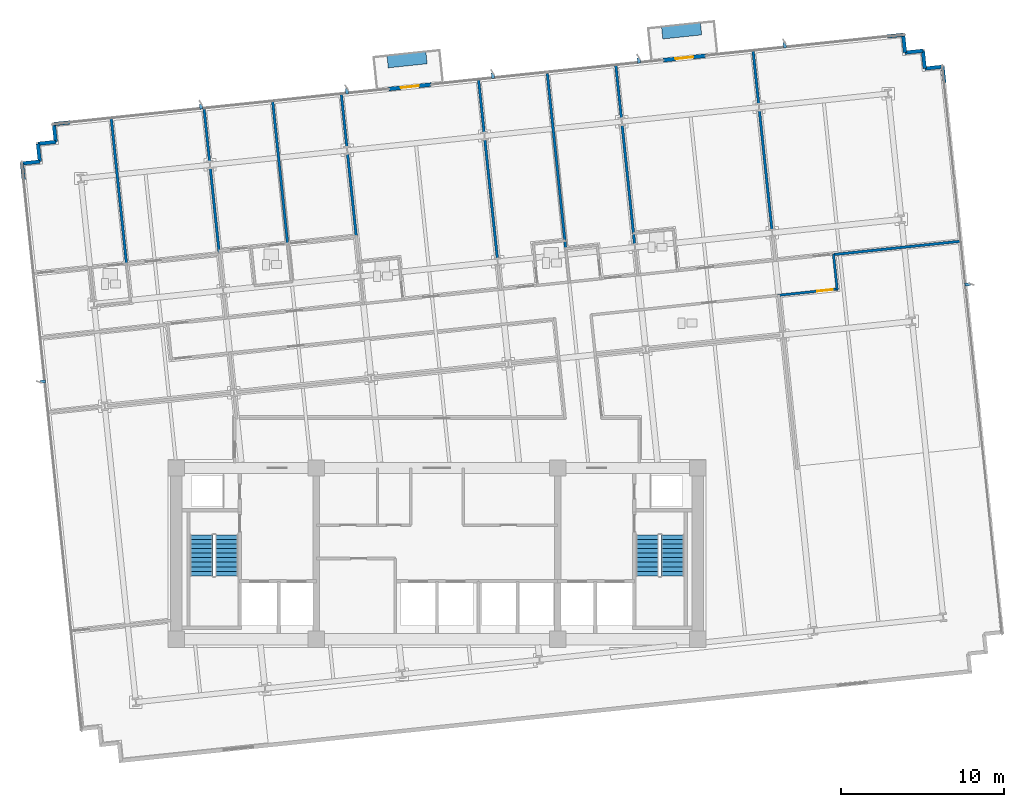
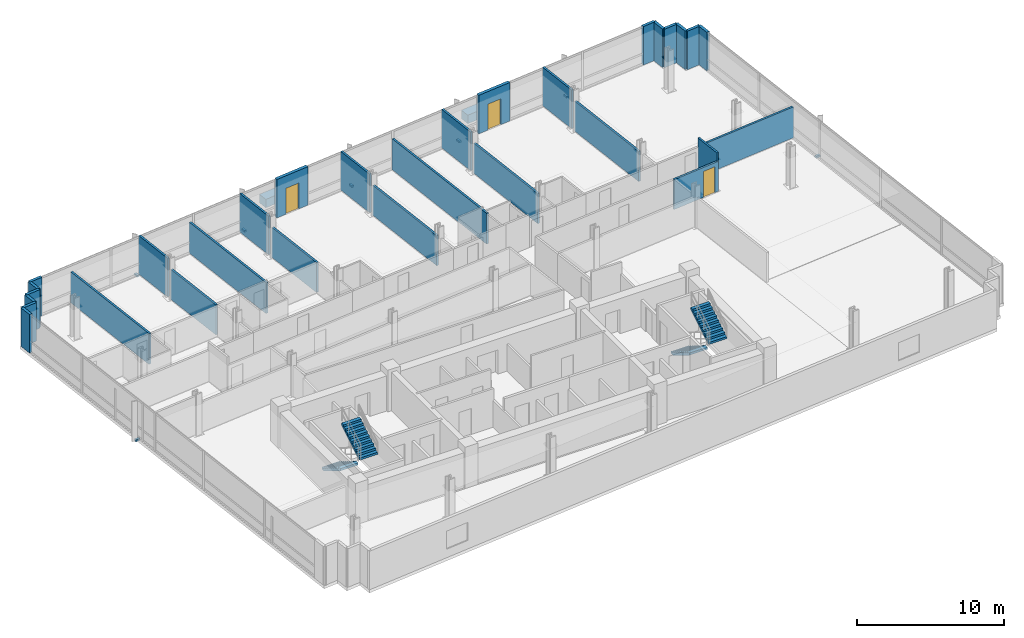
# One storey, part 13 of 18: 30 walls, 9 discrete accessories, 4 stair flights, 3 doors, 3 openings, 2 elements without a shape of their own.
"""IFC4 building model written with IfcOpenShell, lengths in metres."""

from ifc_helpers import new_model, si_unit, direction, frame, frame_2d, origin, origin_2d, place, context, subcontext, project, spatial, polyline, rectangle, outline, extrude, material, layer, layer_set, type_object, element, fill, aggregate, save


model = new_model("IFC4")

# Units and contexts
model_context = context("Model", 3, precision=1e-05, world=origin(), true_north=direction((0.0, 1.0)))
body_context = subcontext(model_context, "Body", "Model", "MODEL_VIEW")
ifc_project = project(units=[si_unit("LENGTHUNIT", "METRE"), si_unit("AREAUNIT", "SQUARE_METRE"), si_unit("VOLUMEUNIT", "CUBIC_METRE"), si_unit("PLANEANGLEUNIT", "RADIAN"), si_unit("MASSUNIT", "GRAM", prefix="KILO")], contexts=[model_context])

# Site, building, storey
site_placement = place(None, origin())
site = spatial("IfcSite", under=ifc_project, at=site_placement, CompositionType="ELEMENT")
building_placement = place(site_placement, origin())
building = spatial("IfcBuilding", under=site, at=building_placement, Name="Solmavex Isthmus Hotel", CompositionType="ELEMENT")
storey_placement = place(building_placement, frame((0.0, 0.0, 120.14990234375)))
storey = spatial("IfcBuildingStorey", under=building, at=storey_placement, Name="L32", CompositionType="ELEMENT", Elevation=120.14990234375)

# Wall, opening, door
ifc_material_1 = material(Name="Precast Concrete C40/50", Category="concrete")
ifc_layer_1 = layer(ifc_material_1, 0.25)
ifc_layer_set_1 = layer_set([ifc_layer_1], Name="Precast Concrete C40/50")
wall_type_1 = type_object("IfcWallType", Name="EW-TWR-250", PredefinedType="STANDARD", material=ifc_layer_set_1)
wall_1_placement = place(storey_placement, frame((-2.95458984375, 20.744140625, 0.0), z_axis=(0.0, 0.0, 1.0), x_axis=(0.994523446942, 0.104513699976, 0.0)))
wall_1 = element("IfcWall", 1, at=wall_1_placement, inside=storey, type_object=wall_type_1, Name="Exterior Balcony Door Wall L32-2", PredefinedType="STANDARD", context=body_context, shape_type="SweptSolid", body=[
    extrude(rectangle(XDim=2.599853515625, YDim=0.239990234375, at=frame_2d((1.2998046875, 0.0))), origin(), (0.0, 0.0, 1.0), 3.190185546875),
])
opening_1_placement = place(wall_1_placement, frame((0.75, 0.0, 0.0)))
opening_1 = element("IfcOpeningElement", 2, at=opening_1_placement, cuts=wall_1, Name="Opening ED-02", PredefinedType="OPENING", context=body_context, shape_type="SweptSolid", body=[
    extrude(rectangle(XDim=1.10009765625, YDim=2.14990234375, at=frame_2d((0.550048828125, 1.074951171875))), frame((0.0, 0.1298828125, 0.0), z_axis=(0.0, -1.0, 0.0), x_axis=(1.0, 0.0, 0.0)), (0.0, 0.0, 1.0), 0.260009765625),
])
ifc_material_2 = material(Name="Aluminium alloy 6063-T6", Category="aluminium")
door_type_1 = type_object("IfcDoorType", Name="EDR-BALC-1100", OperationType="NOTDEFINED", PredefinedType="DOOR", material=ifc_material_2)
door_1_placement = place(opening_1_placement, origin())
door_1 = element("IfcDoor", 3, at=door_1_placement, inside=storey, type_object=door_type_1, Name="Balcony & Terrace Glazed Door L32-2", OperationType="SINGLE_SWING_RIGHT", OverallHeight=2.14990234375, OverallWidth=1.10009765625, PredefinedType="DOOR", context=body_context, shape_type="SweptSolid", body=[
    extrude(rectangle(XDim=1.10009765625, YDim=2.14990234375, at=frame_2d((0.550048828125, 1.074951171875))), frame((0.0, 0.02490234375, 0.0), z_axis=(0.0, -1.0, 0.0), x_axis=(1.0, 0.0, 0.0)), (0.0, 0.0, 1.0), 0.050048828125),
])
fill(opening_1, door_1)

wall_2_placement = place(storey_placement, frame((13.884765625, 22.513916015625, 0.0), z_axis=(0.0, 0.0, 1.0), x_axis=(0.994523446942, 0.104513699976, 0.0)))
wall_2 = element("IfcWall", 4, at=wall_2_placement, inside=storey, type_object=wall_type_1, Name="Exterior Balcony Door Wall L32-3", PredefinedType="STANDARD", context=body_context, shape_type="SweptSolid", body=[
    extrude(rectangle(XDim=2.599853515625, YDim=0.239990234375, at=frame_2d((1.2998046875, 0.0))), origin(), (0.0, 0.0, 1.0), 3.190185546875),
])
opening_2_placement = place(wall_2_placement, frame((0.75, 0.0, 0.0)))
opening_2 = element("IfcOpeningElement", 5, at=opening_2_placement, cuts=wall_2, Name="Opening ED-02", PredefinedType="OPENING", context=body_context, shape_type="SweptSolid", body=[
    extrude(rectangle(XDim=1.10009765625, YDim=2.14990234375, at=frame_2d((0.550048828125, 1.074951171875))), frame((0.0, 0.1298828125, 0.0), z_axis=(0.0, -1.0, 0.0), x_axis=(1.0, 0.0, 0.0)), (0.0, 0.0, 1.0), 0.260009765625),
])
door_2_placement = place(opening_2_placement, origin())
door_2 = element("IfcDoor", 6, at=door_2_placement, inside=storey, type_object=door_type_1, Name="Balcony & Terrace Glazed Door L32-3", OperationType="SINGLE_SWING_LEFT", OverallHeight=2.14990234375, OverallWidth=1.10009765625, PredefinedType="DOOR", context=body_context, shape_type="SweptSolid", body=[
    extrude(rectangle(XDim=1.10009765625, YDim=2.14990234375, at=frame_2d((0.550048828125, 1.074951171875))), frame((0.0, 0.02490234375, 0.0), z_axis=(0.0, -1.0, 0.0), x_axis=(1.0, 0.0, 0.0)), (0.0, 0.0, 1.0), 0.050048828125),
])
fill(opening_2, door_2)

# Walls
wall_3_placement = place(storey_placement, frame((-25.35400390625, 15.1923828125, 0.0), z_axis=(0.0, 0.0, 1.0), x_axis=(-0.104556418955, 0.99451895671, 0.0)))
element("IfcWall", 7, at=wall_3_placement, inside=storey, type_object=wall_type_1, Name="Serrated Corner Facade Panel L32-07", PredefinedType="STANDARD", context=body_context, shape_type="SweptSolid", body=[
    extrude(rectangle(XDim=0.989990234375, YDim=0.219970703125, at=frame_2d((0.4951171875, 0.0))), origin(), (0.0, 0.0, 1.0), 3.190185546875),
])
wall_4_placement = place(storey_placement, frame((-25.45751953125, 16.177001953125, 0.0), z_axis=(0.0, 0.0, 1.0), x_axis=(0.994521251134, 0.104534592565, 0.0)))
element("IfcWall", 8, at=wall_4_placement, inside=storey, type_object=wall_type_1, Name="Serrated Corner Facade Panel L32-08", PredefinedType="STANDARD", context=body_context, shape_type="SweptSolid", body=[
    extrude(rectangle(XDim=1.10009765625, YDim=0.219970703125, at=frame_2d((0.550048828125, 0.0))), origin(), (0.0, 0.0, 1.0), 3.190185546875),
])
wall_5_placement = place(storey_placement, frame((-24.363525390625, 16.2919921875, 0.0), z_axis=(0.0, 0.0, 1.0), x_axis=(-0.104557671117, 0.994518825066, 0.0)))
element("IfcWall", 9, at=wall_5_placement, inside=storey, type_object=wall_type_1, Name="Serrated Corner Facade Panel L32-09", PredefinedType="STANDARD", context=body_context, shape_type="SweptSolid", body=[
    extrude(rectangle(XDim=1.099853515625, YDim=0.219970703125, at=frame_2d((0.5498046875, 0.0))), origin(), (0.0, 0.0, 1.0), 3.190185546875),
])
for number, where, z_axis, x_axis, name in (
    (10, (-24.478515625, 17.3857421875, 0.0), (0.0, 0.0, 1.0), (0.994521251134, 0.104534592565, 0.0), "Serrated Corner Facade Panel L32-10"),
    (11, (-23.384521484375, 17.500732421875, 0.0), (0.0, 0.0, 1.0), (-0.104534592565, 0.994521251134, 0.0), "Serrated Corner Facade Panel L32-11"),
):
    element("IfcWall", number, at=place(storey_placement, frame(where, z_axis=z_axis, x_axis=x_axis)), inside=storey, type_object=wall_type_1, Name=name, PredefinedType="STANDARD", context=body_context, shape_type="SweptSolid", body=[
        extrude(rectangle(XDim=1.10009765625, YDim=0.219970703125, at=frame_2d((0.550048828125, 0.0))), origin(), (0.0, 0.0, 1.0), 3.190185546875),
    ])
wall_6_placement = place(storey_placement, frame((-23.49951171875, 18.5947265625, 0.0), z_axis=(0.0, 0.0, 1.0), x_axis=(0.99451895671, 0.104556418955, 0.0)))
element("IfcWall", 12, at=wall_6_placement, inside=storey, type_object=wall_type_1, Name="Serrated Corner Facade Panel L32-12", PredefinedType="STANDARD", context=body_context, shape_type="SweptSolid", body=[
    extrude(rectangle(XDim=0.989990234375, YDim=0.219970703125, at=frame_2d((0.4951171875, 0.0))), origin(), (0.0, 0.0, 1.0), 3.190185546875),
])
wall_7_placement = place(storey_placement, frame((27.609130859375, 23.966552734375, 0.0), z_axis=(0.0, 0.0, 1.0), x_axis=(0.994516259927, 0.104582067016, 0.0)))
element("IfcWall", 13, at=wall_7_placement, inside=storey, type_object=wall_type_1, Name="Serrated Corner Facade Panel L32-14", PredefinedType="STANDARD", context=body_context, shape_type="SweptSolid", body=[
    extrude(rectangle(XDim=0.98974609375, YDim=0.219970703125, at=frame_2d((0.494873046875, 0.0))), origin(), (0.0, 0.0, 1.0), 3.190185546875),
])
for number, where, z_axis, x_axis, name in (
    (14, (28.593505859375, 24.070068359375, 0.0), (0.0, 0.0, 1.0), (0.104534592565, -0.994521251134, 0.0), "Serrated Corner Facade Panel L32-15"),
    (15, (28.70849609375, 22.97607421875, 0.0), (0.0, 0.0, 1.0), (0.994521251134, 0.104534592565, 0.0), "Serrated Corner Facade Panel L32-16"),
    (16, (29.802490234375, 23.091064453125, 0.0), (0.0, 0.0, 1.0), (0.104534592565, -0.994521251134, 0.0), "Serrated Corner Facade Panel L32-17"),
    (17, (29.91748046875, 21.9970703125, 0.0), (0.0, 0.0, 1.0), (0.994521251134, 0.104534592565, 0.0), "Serrated Corner Facade Panel L32-18"),
):
    element("IfcWall", number, at=place(storey_placement, frame(where, z_axis=z_axis, x_axis=x_axis)), inside=storey, type_object=wall_type_1, Name=name, PredefinedType="STANDARD", context=body_context, shape_type="SweptSolid", body=[
        extrude(rectangle(XDim=1.10009765625, YDim=0.219970703125, at=frame_2d((0.550048828125, 0.0))), origin(), (0.0, 0.0, 1.0), 3.190185546875),
    ])
wall_8_placement = place(storey_placement, frame((31.011474609375, 22.112060546875, 0.0), z_axis=(0.0, 0.0, 1.0), x_axis=(0.104556418955, -0.99451895671, 0.0)))
element("IfcWall", 18, at=wall_8_placement, inside=storey, type_object=wall_type_1, Name="Serrated Corner Facade Panel L32-19", PredefinedType="STANDARD", context=body_context, shape_type="SweptSolid", body=[
    extrude(rectangle(XDim=0.989990234375, YDim=0.219970703125, at=frame_2d((0.4951171875, 0.0))), origin(), (0.0, 0.0, 1.0), 3.190185546875),
])
ifc_material_3 = material(Name="Gypsum plasterboard lining", Category="gypsum")
ifc_layer_2 = layer(ifc_material_3, 0.159912109375)
ifc_layer_set_2 = layer_set([ifc_layer_2], Name="Gypsum plasterboard lining")
wall_type_2 = type_object("IfcWallType", Name="IW-COMP-160", PredefinedType="PARTITIONING", material=ifc_layer_set_2)
wall_9_placement = place(storey_placement, frame((-19.988037109375, 18.994140625, 0.0), z_axis=(0.0, 0.0, 1.0), x_axis=(0.104530519182, -0.994521679281, 0.0)))
element("IfcWall", 19, at=wall_9_placement, inside=storey, type_object=wall_type_2, Name="Interior Partition Wall W-L32-P034", PredefinedType="PARTITIONING", context=body_context, shape_type="SweptSolid", body=[
    extrude(rectangle(XDim=9.06201171875, YDim=0.159912109375, at=frame_2d((4.531005859375, 0.0))), origin(), (0.0, 0.0, 1.0), 2.55322265625),
])
wall_10_placement = place(storey_placement, frame((-14.29541015625, 19.59228515625, 0.0), z_axis=(0.0, 0.0, 1.0), x_axis=(0.10455555946, -0.99451904707, 0.0)))
element("IfcWall", 20, at=wall_10_placement, inside=storey, type_object=wall_type_2, Name="Interior Partition Wall W-L32-P036", PredefinedType="PARTITIONING", context=body_context, shape_type="SweptSolid", body=[
    extrude(rectangle(XDim=3.34375, YDim=0.159912109375, at=frame_2d((1.671875, 0.0))), origin(), (0.0, 0.0, 1.0), 3.190185546875),
])
wall_11_placement = place(storey_placement, frame((-13.908935546875, 15.91650390625, 0.0), z_axis=(0.0, 0.0, 1.0), x_axis=(0.104538369303, -0.994520854152, 0.0)))
element("IfcWall", 21, at=wall_11_placement, inside=storey, type_object=wall_type_2, Name="Interior Partition Wall W-L32-P037", PredefinedType="PARTITIONING", context=body_context, shape_type="SweptSolid", body=[
    extrude(rectangle(XDim=5.2080078125, YDim=0.159912109375, at=frame_2d((2.60400390625, 0.0))), origin(), (0.0, 0.0, 1.0), 2.4794921875),
])
wall_12_placement = place(storey_placement, frame((-10.08544921875, 20.034912109375, 0.0), z_axis=(0.0, 0.0, 1.0), x_axis=(0.104521299929, -0.994522648239, 0.0)))
element("IfcWall", 22, at=wall_12_placement, inside=storey, type_object=wall_type_2, Name="Interior Partition Wall W-L32-P045", PredefinedType="PARTITIONING", context=body_context, shape_type="SweptSolid", body=[
    extrude(rectangle(XDim=8.862060546875, YDim=0.159912109375, at=frame_2d((4.43115234375, 0.0))), origin(), (0.0, 0.0, 1.0), 2.55322265625),
])
wall_13_placement = place(storey_placement, frame((-5.875732421875, 20.477294921875, 0.0), z_axis=(0.0, 0.0, 1.0), x_axis=(0.10455555946, -0.99451904707, 0.0)))
element("IfcWall", 23, at=wall_13_placement, inside=storey, type_object=wall_type_2, Name="Interior Partition Wall W-L32-P047", PredefinedType="PARTITIONING", context=body_context, shape_type="SweptSolid", body=[
    extrude(rectangle(XDim=3.34375, YDim=0.159912109375, at=frame_2d((1.671875, 0.0))), origin(), (0.0, 0.0, 1.0), 3.190185546875),
])
wall_14_placement = place(storey_placement, frame((-5.4892578125, 16.80126953125, 0.0), z_axis=(0.0, 0.0, 1.0), x_axis=(0.104495347858, -0.994525375381, 0.0)))
element("IfcWall", 24, at=wall_14_placement, inside=storey, type_object=wall_type_2, Name="Interior Partition Wall W-L32-P048", PredefinedType="PARTITIONING", context=body_context, shape_type="SweptSolid", body=[
    extrude(rectangle(XDim=5.165771484375, YDim=0.159912109375, at=frame_2d((2.5830078125, 0.0))), origin(), (0.0, 0.0, 1.0), 2.4794921875),
])
wall_15_placement = place(storey_placement, frame((2.5439453125, 21.3623046875, 0.0), z_axis=(0.0, 0.0, 1.0), x_axis=(0.10455555946, -0.99451904707, 0.0)))
element("IfcWall", 25, at=wall_15_placement, inside=storey, type_object=wall_type_2, Name="Interior Partition Wall W-L32-P051", PredefinedType="PARTITIONING", context=body_context, shape_type="SweptSolid", body=[
    extrude(rectangle(XDim=3.34375, YDim=0.159912109375, at=frame_2d((1.671875, 0.0))), origin(), (0.0, 0.0, 1.0), 3.190185546875),
])
wall_16_placement = place(storey_placement, frame((2.93017578125, 17.686279296875, 0.0), z_axis=(0.0, 0.0, 1.0), x_axis=(0.104555973927, -0.994519003497, 0.0)))
element("IfcWall", 26, at=wall_16_placement, inside=storey, type_object=wall_type_2, Name="Interior Partition Wall W-L32-P052", PredefinedType="PARTITIONING", context=body_context, shape_type="SweptSolid", body=[
    extrude(rectangle(XDim=7.399658203125, YDim=0.159912109375, at=frame_2d((3.69970703125, 0.0))), origin(), (0.0, 0.0, 1.0), 2.4794921875),
])
wall_17_placement = place(storey_placement, frame((6.766357421875, 21.685302734375, 0.0), z_axis=(0.0, 0.0, 1.0), x_axis=(0.104527119842, -0.994522036567, 0.0)))
element("IfcWall", 27, at=wall_17_placement, inside=storey, type_object=wall_type_2, Name="Interior Partition Wall W-L32-P056", PredefinedType="PARTITIONING", context=body_context, shape_type="SweptSolid", body=[
    extrude(rectangle(XDim=10.8818359375, YDim=0.159912109375, at=frame_2d((5.44091796875, 0.0))), origin(), (0.0, 0.0, 1.0), 2.55322265625),
])
wall_18_placement = place(storey_placement, frame((10.963623046875, 22.2470703125, 0.0), z_axis=(0.0, 0.0, 1.0), x_axis=(0.10448334315, -0.994526636649, 0.0)))
element("IfcWall", 28, at=wall_18_placement, inside=storey, type_object=wall_type_2, Name="Interior Partition Wall W-L32-P060", PredefinedType="PARTITIONING", context=body_context, shape_type="SweptSolid", body=[
    extrude(rectangle(XDim=3.34375, YDim=0.159912109375, at=frame_2d((1.671875, 0.0))), origin(), (0.0, 0.0, 1.0), 3.190185546875),
])
wall_19_placement = place(storey_placement, frame((11.349853515625, 18.5712890625, 0.0), z_axis=(0.0, 0.0, 1.0), x_axis=(0.104523341075, -0.994522433719, 0.0)))
element("IfcWall", 29, at=wall_19_placement, inside=storey, type_object=wall_type_2, Name="Interior Partition Wall W-L32-P061", PredefinedType="PARTITIONING", context=body_context, shape_type="SweptSolid", body=[
    extrude(rectangle(XDim=7.399658203125, YDim=0.159912109375, at=frame_2d((3.69970703125, 0.0))), origin(), (0.0, 0.0, 1.0), 2.4794921875),
])
wall_20_placement = place(storey_placement, frame((19.383056640625, 23.132080078125, 0.0), z_axis=(0.0, 0.0, 1.0), x_axis=(0.10455555946, -0.99451904707, 0.0)))
element("IfcWall", 30, at=wall_20_placement, inside=storey, type_object=wall_type_2, Name="Interior Partition Wall W-L32-P065", PredefinedType="PARTITIONING", context=body_context, shape_type="SweptSolid", body=[
    extrude(rectangle(XDim=3.34375, YDim=0.159912109375, at=frame_2d((1.671875, 0.0))), origin(), (0.0, 0.0, 1.0), 3.190185546875),
])
wall_21_placement = place(storey_placement, frame((19.76953125, 19.456298828125, 0.0), z_axis=(0.0, 0.0, 1.0), x_axis=(0.104523341075, -0.994522433719, 0.0)))
element("IfcWall", 31, at=wall_21_placement, inside=storey, type_object=wall_type_2, Name="Interior Partition Wall W-L32-P066", PredefinedType="PARTITIONING", context=body_context, shape_type="SweptSolid", body=[
    extrude(rectangle(XDim=7.399658203125, YDim=0.159912109375, at=frame_2d((3.69970703125, 0.0))), origin(), (0.0, 0.0, 1.0), 2.4794921875),
])
wall_22_placement = place(storey_placement, frame((32.166015625, 11.4140625, 0.0), z_axis=(0.0, 0.0, 1.0), x_axis=(-0.994522987852, -0.104518068455, 0.0)))
element("IfcWall", 32, at=wall_22_placement, inside=storey, type_object=wall_type_2, Name="Interior Partition Wall W-L32-P068", PredefinedType="PARTITIONING", context=body_context, shape_type="SweptSolid", body=[
    extrude(rectangle(XDim=7.927978515625, YDim=0.159912109375, at=frame_2d((3.9638671875, 0.0))), origin(), (0.0, 0.0, 1.0), 2.55322265625),
])
ifc_layer_3 = layer(ifc_material_3, 0.14990234375)
ifc_layer_set_3 = layer_set([ifc_layer_3], Name="Gypsum plasterboard lining")
wall_type_3 = type_object("IfcWallType", Name="IW-CORR-150", PredefinedType="PARTITIONING", material=ifc_layer_set_3)
wall_23_placement = place(storey_placement, frame((24.317138671875, 10.62939453125, 0.0), z_axis=(0.0, 0.0, 1.0), x_axis=(0.104500773718, -0.994524805267, 0.0)))
element("IfcWall", 33, at=wall_23_placement, inside=storey, type_object=wall_type_3, Name="Interior Partition Wall W-L32-P021", PredefinedType="PARTITIONING", context=body_context, shape_type="SweptSolid", body=[
    extrude(rectangle(XDim=2.210205078125, YDim=0.14990234375, at=frame_2d((1.10498046875, 0.0))), origin(), (0.0, 0.0, 1.0), 3.190185546875),
])

# Wall, opening, door
wall_24_placement = place(storey_placement, frame((24.583740234375, 8.475341796875, 0.0), z_axis=(0.0, 0.0, 1.0), x_axis=(-0.994525920558, -0.104490159046, 0.0)))
wall_24 = element("IfcWall", 34, at=wall_24_placement, inside=storey, type_object=wall_type_3, Name="Interior Partition Wall W-L32-P022", PredefinedType="PARTITIONING", context=body_context, shape_type="SweptSolid", body=[
    extrude(rectangle(XDim=3.721923828125, YDim=0.14990234375, at=frame_2d((1.86083984375, 0.0))), origin(), (0.0, 0.0, 1.0), 2.4794921875),
])
opening_3_placement = place(wall_24_placement, frame((0.315185546875, 0.0, 0.0)))
opening_3 = element("IfcOpeningElement", 35, at=opening_3_placement, cuts=wall_24, Name="Opening ID-C095", PredefinedType="OPENING", context=body_context, shape_type="SweptSolid", body=[
    extrude(rectangle(XDim=0.949951171875, YDim=2.14990234375, at=frame_2d((0.47509765625, 1.074951171875))), frame((0.0, 0.0849609375, 0.0), z_axis=(0.0, -1.0, 0.0), x_axis=(1.0, 0.0, 0.0)), (0.0, 0.0, 1.0), 0.169921875),
])
ifc_material_4 = material(Name="Hardwood timber", Category="wood")
door_type_2 = type_object("IfcDoorType", Name="IDR-FD60-0950", OperationType="NOTDEFINED", PredefinedType="DOOR", material=ifc_material_4)
door_3_placement = place(opening_3_placement, frame((0.949951171875, 0.0, 0.0), z_axis=(0.0, 0.0, 1.0), x_axis=(-1.0, 0.0, 0.0)))
door_3 = element("IfcDoor", 36, at=door_3_placement, inside=storey, type_object=door_type_2, Name="Executive Hospitality Lounge Door L32-24", OperationType="SINGLE_SWING_RIGHT", OverallHeight=2.14990234375, OverallWidth=0.949951171875, PredefinedType="DOOR", context=body_context, shape_type="SweptSolid", body=[
    extrude(rectangle(XDim=0.949951171875, YDim=2.14990234375, at=frame_2d((0.47509765625, 1.074951171875))), frame((0.0, 0.02490234375, 0.0), z_axis=(0.0, -1.0, 0.0), x_axis=(1.0, 0.0, 0.0)), (0.0, 0.0, 1.0), 0.050048828125),
])
fill(opening_3, door_3)

# Stair, stair flights
ifc_material_5 = material(Name="Concrete C40/50", Category="concrete")
stair_type_1 = type_object("IfcStairType", Name="STR-ST-1", PredefinedType="HALF_TURN_STAIR", material=ifc_material_5)
stair_1_placement = place(storey_placement, origin())
stair_1 = element("IfcStair", 37, at=stair_1_placement, inside=storey, type_object=stair_type_1, Name="L32 Protected Exit Stair ST-1", PredefinedType="HALF_TURN_STAIR")
stair_flight_type_1 = type_object("IfcStairFlightType", Name="SFL-ST-1", PredefinedType="STRAIGHT", material=ifc_material_5)
stair_flight_1_placement = place(storey_placement, frame((-14.449951171875, -6.60009765625, 0.0), z_axis=(0.0, 0.0, 1.0), x_axis=(0.0, -1.0, 0.0)))
stair_flight_1 = element("IfcStairFlight", 38, at=stair_flight_1_placement, type_object=stair_flight_type_1, Name="ST-1 flight 1", NumberOfRisers=10, NumberOfTreads=9, PredefinedType="STRAIGHT", RiserHeight=0.1725, TreadLength=0.28, context=body_context, shape_type="SweptSolid", body=[
    extrude(outline(polyline([(0.0, 0.0), (0.0, 0.172607421875), (0.280029296875, 0.172607421875), (0.280029296875, 0.344970703125), (0.56005859375, 0.344970703125), (0.56005859375, 0.517578125), (0.840087890625, 0.517578125), (0.840087890625, 0.68994140625), (1.1201171875, 0.68994140625), (1.1201171875, 0.862548828125), (1.39990234375, 0.862548828125), (1.39990234375, 1.034912109375), (1.679931640625, 1.034912109375), (1.679931640625, 1.20751953125), (1.9599609375, 1.20751953125), (1.9599609375, 1.3798828125), (2.239990234375, 1.3798828125), (2.239990234375, 1.552490234375), (2.52001953125, 1.552490234375), (2.52001953125, 1.72509765625), (2.52001953125, 1.37646484375), (0.285888671875, 0.0), (0.0, 0.0)])), frame((0.0, 0.699951171875, 0.0), z_axis=(0.0, -1.0, 0.0), x_axis=(1.0, 0.0, 0.0)), (0.0, 0.0, 1.0), 1.39990234375),
])
stair_flight_2_placement = place(storey_placement, frame((-12.89990234375, -9.1201171875, 1.72509765625), z_axis=(0.0, 0.0, 1.0), x_axis=(0.0, 1.0, 0.0)))
stair_flight_2 = element("IfcStairFlight", 39, at=stair_flight_2_placement, type_object=stair_flight_type_1, Name="ST-1 flight 2", NumberOfRisers=10, NumberOfTreads=9, PredefinedType="STRAIGHT", RiserHeight=0.1725, TreadLength=0.28, context=body_context, shape_type="SweptSolid", body=[
    extrude(outline(polyline([(0.0, 0.0), (0.0, 0.172607421875), (0.280029296875, 0.172607421875), (0.280029296875, 0.344970703125), (0.56005859375, 0.344970703125), (0.56005859375, 0.517578125), (0.840087890625, 0.517578125), (0.840087890625, 0.68994140625), (1.1201171875, 0.68994140625), (1.1201171875, 0.862548828125), (1.39990234375, 0.862548828125), (1.39990234375, 1.034912109375), (1.679931640625, 1.034912109375), (1.679931640625, 1.20751953125), (1.9599609375, 1.20751953125), (1.9599609375, 1.3798828125), (2.239990234375, 1.3798828125), (2.239990234375, 1.552490234375), (2.52001953125, 1.552490234375), (2.52001953125, 1.72509765625), (2.52001953125, 1.37646484375), (0.285888671875, 0.0), (0.0, 0.0)])), frame((0.0, 0.699951171875, 0.0), z_axis=(0.0, -1.0, 0.0), x_axis=(1.0, 0.0, 0.0)), (0.0, 0.0, 1.0), 1.39990234375),
])
aggregate(stair_1, [stair_flight_1, stair_flight_2])

stair_type_2 = type_object("IfcStairType", Name="STR-ST-2", PredefinedType="HALF_TURN_STAIR", material=ifc_material_5)
stair_2_placement = place(storey_placement, origin())
stair_2 = element("IfcStair", 40, at=stair_2_placement, inside=storey, type_object=stair_type_2, Name="L32 Protected Exit Stair ST-2", PredefinedType="HALF_TURN_STAIR")
stair_flight_type_2 = type_object("IfcStairFlightType", Name="SFL-ST-2", PredefinedType="STRAIGHT", material=ifc_material_5)
stair_flight_3_placement = place(storey_placement, frame((12.89990234375, -6.60009765625, 0.0), z_axis=(0.0, 0.0, 1.0), x_axis=(0.0, -1.0, 0.0)))
stair_flight_3 = element("IfcStairFlight", 41, at=stair_flight_3_placement, type_object=stair_flight_type_2, Name="ST-2 flight 1", NumberOfRisers=10, NumberOfTreads=9, PredefinedType="STRAIGHT", RiserHeight=0.1725, TreadLength=0.28, context=body_context, shape_type="SweptSolid", body=[
    extrude(outline(polyline([(0.0, 0.0), (0.0, 0.172607421875), (0.280029296875, 0.172607421875), (0.280029296875, 0.344970703125), (0.56005859375, 0.344970703125), (0.56005859375, 0.517578125), (0.840087890625, 0.517578125), (0.840087890625, 0.68994140625), (1.1201171875, 0.68994140625), (1.1201171875, 0.862548828125), (1.39990234375, 0.862548828125), (1.39990234375, 1.034912109375), (1.679931640625, 1.034912109375), (1.679931640625, 1.20751953125), (1.9599609375, 1.20751953125), (1.9599609375, 1.3798828125), (2.239990234375, 1.3798828125), (2.239990234375, 1.552490234375), (2.52001953125, 1.552490234375), (2.52001953125, 1.72509765625), (2.52001953125, 1.37646484375), (0.285888671875, 0.0), (0.0, 0.0)])), frame((0.0, 0.699951171875, 0.0), z_axis=(0.0, -1.0, 0.0), x_axis=(1.0, 0.0, 0.0)), (0.0, 0.0, 1.0), 1.39990234375),
])
stair_flight_4_placement = place(storey_placement, frame((14.449951171875, -9.1201171875, 1.72509765625), z_axis=(0.0, 0.0, 1.0), x_axis=(0.0, 1.0, 0.0)))
stair_flight_4 = element("IfcStairFlight", 42, at=stair_flight_4_placement, type_object=stair_flight_type_2, Name="ST-2 flight 2", NumberOfRisers=10, NumberOfTreads=9, PredefinedType="STRAIGHT", RiserHeight=0.1725, TreadLength=0.28, context=body_context, shape_type="SweptSolid", body=[
    extrude(outline(polyline([(0.0, 0.0), (0.0, 0.172607421875), (0.280029296875, 0.172607421875), (0.280029296875, 0.344970703125), (0.56005859375, 0.344970703125), (0.56005859375, 0.517578125), (0.840087890625, 0.517578125), (0.840087890625, 0.68994140625), (1.1201171875, 0.68994140625), (1.1201171875, 0.862548828125), (1.39990234375, 0.862548828125), (1.39990234375, 1.034912109375), (1.679931640625, 1.034912109375), (1.679931640625, 1.20751953125), (1.9599609375, 1.20751953125), (1.9599609375, 1.3798828125), (2.239990234375, 1.3798828125), (2.239990234375, 1.552490234375), (2.52001953125, 1.552490234375), (2.52001953125, 1.72509765625), (2.52001953125, 1.37646484375), (0.285888671875, 0.0), (0.0, 0.0)])), frame((0.0, 0.699951171875, 0.0), z_axis=(0.0, -1.0, 0.0), x_axis=(1.0, 0.0, 0.0)), (0.0, 0.0, 1.0), 1.39990234375),
])
aggregate(stair_2, [stair_flight_3, stair_flight_4])

# Discrete accessories
ifc_material_6 = material(Name="Steel ASTM A572 Grade 50", Category="steel")
discrete_accessory_type_1 = type_object("IfcDiscreteAccessoryType", Name="ACC-BRK-FIN", PredefinedType="BRACKET", material=ifc_material_6)
for number, where, z_axis, x_axis, name in (
    (43, (-14.472900390625, 19.67431640625, -0.169921875), (0.0, 0.0, 1.0), (-0.104528463268, 0.994521895368, 0.0), "Facade Fin Support Bracket L32-N1"),
    (44, (-5.522216796875, 20.614990234375, -0.169921875), (0.0, 0.0, 1.0), (-0.104528463268, 0.994521895368, 0.0), "Facade Fin Support Bracket L32-N2"),
    (45, (3.428466796875, 21.5556640625, -0.169921875), (0.0, 0.0, 1.0), (-0.104528463268, 0.994521895368, 0.0), "Facade Fin Support Bracket L32-N3"),
    (46, (12.379150390625, 22.49658203125, -0.169921875), (0.0, 0.0, 1.0), (-0.104528463268, 0.994521895368, 0.0), "Facade Fin Support Bracket L32-N4"),
    (47, (21.329833984375, 23.437255859375, -0.169921875), (0.0, 0.0, 1.0), (-0.104528463268, 0.994521895368, 0.0), "Facade Fin Support Bracket L32-N5"),
    (48, (-24.181884765625, 2.796875, -0.169921875), (0.0, 0.0, 1.0), (-0.994521895368, -0.104528463268, 0.0), "Facade Fin Support Bracket L32-W1"),
    (49, (32.545654296875, 8.75927734375, -0.169921875), (0.0, 0.0, 1.0), (0.994521895368, 0.104528463268, 0.0), "Facade Fin Support Bracket L32-E1"),
):
    element("IfcDiscreteAccessory", number, at=place(storey_placement, frame(where, z_axis=z_axis, x_axis=x_axis)), inside=storey, type_object=discrete_accessory_type_1, Name=name, PredefinedType="BRACKET", context=body_context, shape_type="SweptSolid", body=[
        extrude(rectangle(XDim=0.340087890625, YDim=0.179931640625, at=origin_2d()), origin(), (0.0, 0.0, 1.0), 0.159912109375),
    ])
discrete_accessory_type_2 = type_object("IfcDiscreteAccessoryType", Name="ACC-PLN-BALC", PredefinedType="USERDEFINED", material=ifc_material_1)
for number, where, z_axis, x_axis, name in (
    (50, (-1.836181640625, 22.540771484375, 0.0), (0.0, 0.0, 1.0), (0.994521895368, 0.104528463268, 0.0), "Tree-Balcony Architectural Planter L32-B1"),
    (51, (15.0029296875, 24.310791015625, 0.0), (0.0, 0.0, 1.0), (0.994521895368, 0.104528463268, 0.0), "Tree-Balcony Architectural Planter L32-B2"),
):
    element("IfcDiscreteAccessory", number, at=place(storey_placement, frame(where, z_axis=z_axis, x_axis=x_axis)), inside=storey, type_object=discrete_accessory_type_2, Name=name, ObjectType="PLANTER", PredefinedType="USERDEFINED", context=body_context, shape_type="SweptSolid", body=[
        extrude(rectangle(XDim=2.39990234375, YDim=0.75, at=origin_2d()), origin(), (0.0, 0.0, 1.0), 0.699951171875),
    ])

save(model, "model.ifc")
